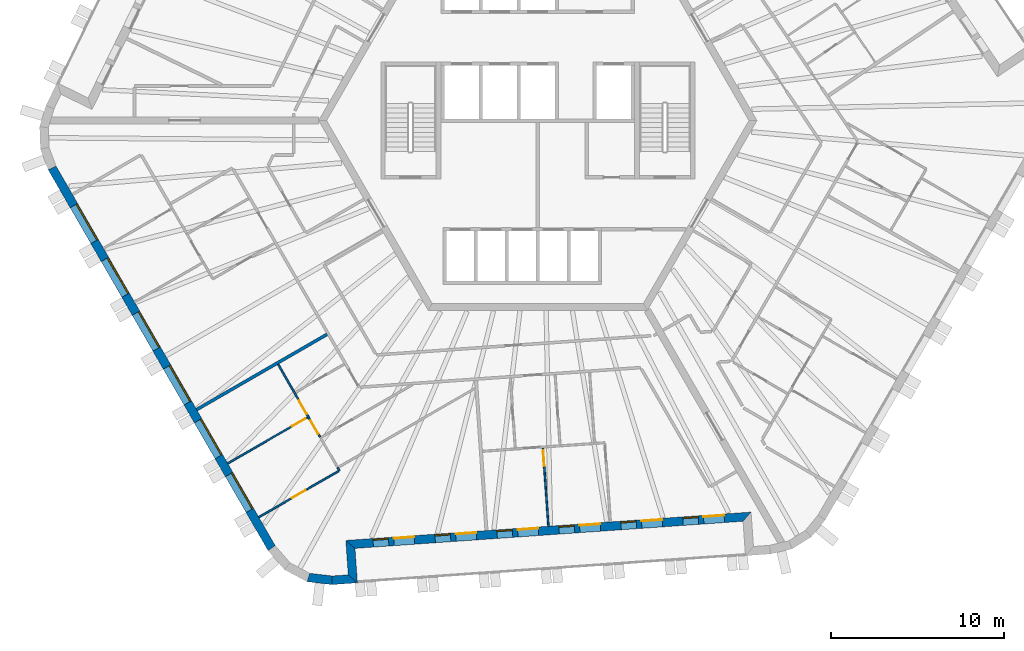
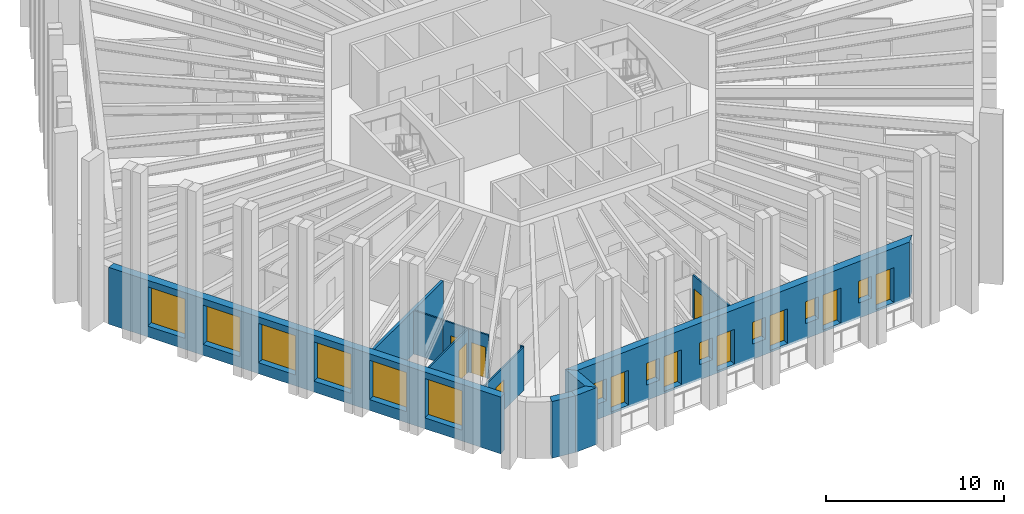
# One storey, part 3 of 13: 12 walls, 12 windows, 11 doors, 23 openings.
"""IFC4 building model written with IfcOpenShell, lengths in metres."""

from ifc_helpers import new_model, si_unit, direction, frame, frame_2d, origin, place, context, subcontext, project, spatial, polyline, rectangle, outline, extrude, material, layer, layer_set, type_object, element, fill, save


model = new_model("IFC4")

# Units and contexts
model_context = context("Model", 3, precision=1e-05, world=origin(), true_north=direction((0.0, 1.0)))
body_context = subcontext(model_context, "Body", "Model", "MODEL_VIEW")
ifc_project = project(units=[si_unit("LENGTHUNIT", "METRE"), si_unit("AREAUNIT", "SQUARE_METRE"), si_unit("VOLUMEUNIT", "CUBIC_METRE"), si_unit("PLANEANGLEUNIT", "RADIAN"), si_unit("MASSUNIT", "GRAM", prefix="KILO")], contexts=[model_context])

# Site, building, storey
site_placement = place(None, origin())
site = spatial("IfcSite", under=ifc_project, at=site_placement, CompositionType="ELEMENT")
building_placement = place(site_placement, origin())
building = spatial("IfcBuilding", under=site, at=building_placement, Name="Tarnside Tower", CompositionType="ELEMENT")
storey_placement = place(building_placement, frame((0.0, 0.0, 314.699951171875)))
storey = spatial("IfcBuildingStorey", under=building, at=storey_placement, Name="L76", CompositionType="ELEMENT", Elevation=314.699951171875)

# Walls
ifc_material_1 = material(Name="Gypsum board partition on steel studs", Category="steel")
ifc_layer_1 = layer(ifc_material_1, 0.10009765625)
ifc_layer_set_1 = layer_set([ifc_layer_1], Name="Bathroom wall 100")
wall_type_1 = type_object("IfcWallType", Name="Bathroom wall 100", PredefinedType="PARTITIONING", material=ifc_layer_set_1)
wall_1_placement = place(storey_placement, frame((-15.0498046875, -14.133056640625, 0.0), z_axis=(0.0, 0.0, 1.0), x_axis=(0.500059143742, -0.865991254436, 0.0)))
element("IfcWall", 1, at=wall_1_placement, inside=storey, type_object=wall_type_1, Name="Bathroom wall 25132", PredefinedType="PARTITIONING", context=body_context, shape_type="SweptSolid", body=[
    extrude(rectangle(XDim=1.862060546875, YDim=0.10009765625, at=frame_2d((0.93115234375, 0.0))), origin(), (0.0, 0.0, 1.0), 2.98779296875),
])
ifc_layer_2 = layer(ifc_material_1, 0.179931640625)
ifc_layer_set_2 = layer_set([ifc_layer_2], Name="Demising wall 180 EI 60")
wall_type_2 = type_object("IfcWallType", Name="Demising wall 180 EI 60", PredefinedType="PARTITIONING", material=ifc_layer_set_2)
wall_2_placement = place(storey_placement, frame((-19.771240234375, -16.755126953125, 0.0), z_axis=(0.0, 0.0, 1.0), x_axis=(0.866025292695, 0.500000192413, 0.0)))
element("IfcWall", 2, at=wall_2_placement, inside=storey, type_object=wall_type_2, Name="Demising wall 25116", PredefinedType="PARTITIONING", context=body_context, shape_type="SweptSolid", body=[
    extrude(rectangle(XDim=8.72509765625, YDim=0.179931640625, at=frame_2d((4.362548828125, 0.0))), origin(), (0.0, 0.0, 1.0), 2.98779296875),
])
ifc_material_2 = material(Name="Dark zinc cladding")
ifc_layer_3 = layer(ifc_material_2, 0.10205078125)
ifc_material_3 = material(Name="Concrete C60/75 precast", Category="concrete")
ifc_layer_4 = layer(ifc_material_3, 0.298095703125)
ifc_material_4 = material(Name="Mineral wool insulation")
ifc_layer_5 = layer(ifc_material_4, 0.10009765625)
ifc_layer_set_3 = layer_set([ifc_layer_3, ifc_layer_4, ifc_layer_5], Name="Loggia wall 500 zinc faced")
wall_type_3 = type_object("IfcWallType", Name="Loggia wall 500 zinc faced", PredefinedType="SOLIDWALL", material=ifc_layer_set_3)
wall_3_placement = place(storey_placement, frame((-11.91748046875, -26.646240234375, -0.14990234375), z_axis=(0.0, 0.0, 1.0), x_axis=(0.997562933087, 0.069772448216, 0.0)))
element("IfcWall", 3, at=wall_3_placement, inside=storey, type_object=wall_type_3, Name="Tube wall L76 F4 stub 16", PredefinedType="SOLIDWALL", context=body_context, shape_type="SweptSolid", body=[
    extrude(outline(polyline([(-0.0234375, -0.25), (1.4501953125, -0.25), (0.9501953125, 0.25), (0.0234375, 0.25), (-0.0234375, -0.25)])), origin(), (0.0, 0.0, 1.0), 3.89990234375),
])
wall_4_placement = place(storey_placement, frame((-10.72021484375, -26.5625, -0.14990234375), z_axis=(0.0, 0.0, 1.0), x_axis=(-0.069824268692, 0.99755930726, 0.0)))
element("IfcWall", 4, at=wall_4_placement, inside=storey, type_object=wall_type_3, Name="Tube wall L76 F4 return 17", PredefinedType="SOLIDWALL", context=body_context, shape_type="SweptSolid", body=[
    extrude(outline(polyline([(-0.25, -0.25), (1.75, -0.25), (2.25, 0.25), (0.25, 0.25), (-0.25, -0.25)])), origin(), (0.0, 0.0, 1.0), 3.89990234375),
])

# Wall, openings, doors, windows
wall_5_placement = place(storey_placement, frame((-10.85986328125, -24.5673828125, -0.14990234375), z_axis=(0.0, 0.0, 1.0), x_axis=(0.997564329317, 0.06975248292, 0.0)))
wall_5 = element("IfcWall", 5, at=wall_5_placement, inside=storey, type_object=wall_type_3, Name="Tube wall L76 F4 back 18", PredefinedType="SOLIDWALL", context=body_context, shape_type="SweptSolid", body=[
    extrude(outline(polyline([(0.25, -0.25), (22.794677734375, -0.25), (23.294677734375, 0.25), (-0.25, 0.25), (0.25, -0.25)])), origin(), (0.0, 0.0, 1.0), 3.89990234375),
])
opening_1_placement = place(wall_5_placement, frame((1.322509765625, 0.0, 1.050048828125)))
opening_1 = element("IfcOpeningElement", 6, at=opening_1_placement, cuts=wall_5, Name="Opening WL500", PredefinedType="OPENING", context=body_context, shape_type="SweptSolid", body=[
    extrude(rectangle(XDim=0.89990234375, YDim=1.5, at=frame_2d((0.449951171875, 0.75))), frame((0.0, 0.260009765625, 0.0), z_axis=(0.0, -1.0, 0.0), x_axis=(1.0, 0.0, 0.0)), (0.0, 0.0, 1.0), 0.52001953125),
])
opening_2_placement = place(wall_5_placement, frame((2.5224609375, 0.0, 0.14990234375)))
opening_2 = element("IfcOpeningElement", 7, at=opening_2_placement, cuts=wall_5, Name="Opening DB500", PredefinedType="OPENING", context=body_context, shape_type="SweptSolid", body=[
    extrude(rectangle(XDim=1.199951171875, YDim=2.39990234375, at=frame_2d((0.60009765625, 1.199951171875))), frame((0.0, 0.260009765625, 0.0), z_axis=(0.0, -1.0, 0.0), x_axis=(1.0, 0.0, 0.0)), (0.0, 0.0, 1.0), 0.52001953125),
])
opening_3_placement = place(wall_5_placement, frame((4.92236328125, 0.0, 1.050048828125)))
opening_3 = element("IfcOpeningElement", 8, at=opening_3_placement, cuts=wall_5, Name="Opening WL500", PredefinedType="OPENING", context=body_context, shape_type="SweptSolid", body=[
    extrude(rectangle(XDim=0.89990234375, YDim=1.5, at=frame_2d((0.449951171875, 0.75))), frame((0.0, 0.260009765625, 0.0), z_axis=(0.0, -1.0, 0.0), x_axis=(1.0, 0.0, 0.0)), (0.0, 0.0, 1.0), 0.52001953125),
])
opening_4_placement = place(wall_5_placement, frame((6.122314453125, 0.0, 0.14990234375)))
opening_4 = element("IfcOpeningElement", 9, at=opening_4_placement, cuts=wall_5, Name="Opening DB500", PredefinedType="OPENING", context=body_context, shape_type="SweptSolid", body=[
    extrude(rectangle(XDim=1.199951171875, YDim=2.39990234375, at=frame_2d((0.60009765625, 1.199951171875))), frame((0.0, 0.260009765625, 0.0), z_axis=(0.0, -1.0, 0.0), x_axis=(1.0, 0.0, 0.0)), (0.0, 0.0, 1.0), 0.52001953125),
])
opening_5_placement = place(wall_5_placement, frame((8.5224609375, 0.0, 1.050048828125)))
opening_5 = element("IfcOpeningElement", 10, at=opening_5_placement, cuts=wall_5, Name="Opening WL500", PredefinedType="OPENING", context=body_context, shape_type="SweptSolid", body=[
    extrude(rectangle(XDim=0.89990234375, YDim=1.5, at=frame_2d((0.449951171875, 0.75))), frame((0.0, 0.260009765625, 0.0), z_axis=(0.0, -1.0, 0.0), x_axis=(1.0, 0.0, 0.0)), (0.0, 0.0, 1.0), 0.52001953125),
])
opening_6_placement = place(wall_5_placement, frame((9.722412109375, 0.0, 0.14990234375)))
opening_6 = element("IfcOpeningElement", 11, at=opening_6_placement, cuts=wall_5, Name="Opening DB500", PredefinedType="OPENING", context=body_context, shape_type="SweptSolid", body=[
    extrude(rectangle(XDim=1.199951171875, YDim=2.39990234375, at=frame_2d((0.60009765625, 1.199951171875))), frame((0.0, 0.260009765625, 0.0), z_axis=(0.0, -1.0, 0.0), x_axis=(1.0, 0.0, 0.0)), (0.0, 0.0, 1.0), 0.52001953125),
])
opening_7_placement = place(wall_5_placement, frame((12.122314453125, 0.0, 1.050048828125)))
opening_7 = element("IfcOpeningElement", 12, at=opening_7_placement, cuts=wall_5, Name="Opening WL500", PredefinedType="OPENING", context=body_context, shape_type="SweptSolid", body=[
    extrude(rectangle(XDim=0.89990234375, YDim=1.5, at=frame_2d((0.449951171875, 0.75))), frame((0.0, 0.260009765625, 0.0), z_axis=(0.0, -1.0, 0.0), x_axis=(1.0, 0.0, 0.0)), (0.0, 0.0, 1.0), 0.52001953125),
])
opening_8_placement = place(wall_5_placement, frame((13.322509765625, 0.0, 0.14990234375)))
opening_8 = element("IfcOpeningElement", 13, at=opening_8_placement, cuts=wall_5, Name="Opening DB500", PredefinedType="OPENING", context=body_context, shape_type="SweptSolid", body=[
    extrude(rectangle(XDim=1.199951171875, YDim=2.39990234375, at=frame_2d((0.60009765625, 1.199951171875))), frame((0.0, 0.260009765625, 0.0), z_axis=(0.0, -1.0, 0.0), x_axis=(1.0, 0.0, 0.0)), (0.0, 0.0, 1.0), 0.52001953125),
])
opening_9_placement = place(wall_5_placement, frame((15.722412109375, 0.0, 1.050048828125)))
opening_9 = element("IfcOpeningElement", 14, at=opening_9_placement, cuts=wall_5, Name="Opening WL500", PredefinedType="OPENING", context=body_context, shape_type="SweptSolid", body=[
    extrude(rectangle(XDim=0.89990234375, YDim=1.5, at=frame_2d((0.449951171875, 0.75))), frame((0.0, 0.260009765625, 0.0), z_axis=(0.0, -1.0, 0.0), x_axis=(1.0, 0.0, 0.0)), (0.0, 0.0, 1.0), 0.52001953125),
])
opening_10_placement = place(wall_5_placement, frame((16.92236328125, 0.0, 0.14990234375)))
opening_10 = element("IfcOpeningElement", 15, at=opening_10_placement, cuts=wall_5, Name="Opening DB500", PredefinedType="OPENING", context=body_context, shape_type="SweptSolid", body=[
    extrude(rectangle(XDim=1.199951171875, YDim=2.39990234375, at=frame_2d((0.60009765625, 1.199951171875))), frame((0.0, 0.260009765625, 0.0), z_axis=(0.0, -1.0, 0.0), x_axis=(1.0, 0.0, 0.0)), (0.0, 0.0, 1.0), 0.52001953125),
])
opening_11_placement = place(wall_5_placement, frame((19.322509765625, 0.0, 1.050048828125)))
opening_11 = element("IfcOpeningElement", 16, at=opening_11_placement, cuts=wall_5, Name="Opening WL500", PredefinedType="OPENING", context=body_context, shape_type="SweptSolid", body=[
    extrude(rectangle(XDim=0.89990234375, YDim=1.5, at=frame_2d((0.449951171875, 0.75))), frame((0.0, 0.260009765625, 0.0), z_axis=(0.0, -1.0, 0.0), x_axis=(1.0, 0.0, 0.0)), (0.0, 0.0, 1.0), 0.52001953125),
])
opening_12_placement = place(wall_5_placement, frame((20.5224609375, 0.0, 0.14990234375)))
opening_12 = element("IfcOpeningElement", 17, at=opening_12_placement, cuts=wall_5, Name="Opening DB500", PredefinedType="OPENING", context=body_context, shape_type="SweptSolid", body=[
    extrude(rectangle(XDim=1.199951171875, YDim=2.39990234375, at=frame_2d((0.60009765625, 1.199951171875))), frame((0.0, 0.260009765625, 0.0), z_axis=(0.0, -1.0, 0.0), x_axis=(1.0, 0.0, 0.0)), (0.0, 0.0, 1.0), 0.52001953125),
])
ifc_material_5 = material(Name="Aluminium-framed double glazing", Category="aluminium")
door_type_1 = type_object("IfcDoorType", Name="Balcony sliding door 1200 x 2400 in 500 wall", OperationType="SLIDING_TO_LEFT", PredefinedType="DOOR", material=ifc_material_5)
door_1_placement = place(opening_2_placement, frame((0.0, 0.1748046875, 0.0)))
door_1 = element("IfcDoor", 18, at=door_1_placement, inside=storey, type_object=door_type_1, Name="E.BD.L76.F4.00", OperationType="SLIDING_TO_LEFT", OverallHeight=2.39990234375, OverallWidth=1.199951171875, PredefinedType="DOOR", context=body_context, shape_type="SweptSolid", body=[
    extrude(rectangle(XDim=1.199951171875, YDim=2.39990234375, at=frame_2d((0.60009765625, 1.199951171875))), frame((0.0, 0.02490234375, 0.0), z_axis=(0.0, -1.0, 0.0), x_axis=(1.0, 0.0, 0.0)), (0.0, 0.0, 1.0), 0.050048828125),
])
fill(opening_2, door_1)
door_2_placement = place(opening_4_placement, frame((0.0, 0.1748046875, 0.0)))
door_2 = element("IfcDoor", 19, at=door_2_placement, inside=storey, type_object=door_type_1, Name="E.BD.L76.F4.01", OperationType="SLIDING_TO_LEFT", OverallHeight=2.39990234375, OverallWidth=1.199951171875, PredefinedType="DOOR", context=body_context, shape_type="SweptSolid", body=[
    extrude(rectangle(XDim=1.199951171875, YDim=2.39990234375, at=frame_2d((0.60009765625, 1.199951171875))), frame((0.0, 0.02490234375, 0.0), z_axis=(0.0, -1.0, 0.0), x_axis=(1.0, 0.0, 0.0)), (0.0, 0.0, 1.0), 0.050048828125),
])
fill(opening_4, door_2)
door_3_placement = place(opening_6_placement, frame((0.0, 0.1748046875, 0.0)))
door_3 = element("IfcDoor", 20, at=door_3_placement, inside=storey, type_object=door_type_1, Name="E.BD.L76.F4.02", OperationType="SLIDING_TO_LEFT", OverallHeight=2.39990234375, OverallWidth=1.199951171875, PredefinedType="DOOR", context=body_context, shape_type="SweptSolid", body=[
    extrude(rectangle(XDim=1.199951171875, YDim=2.39990234375, at=frame_2d((0.60009765625, 1.199951171875))), frame((0.0, 0.02490234375, 0.0), z_axis=(0.0, -1.0, 0.0), x_axis=(1.0, 0.0, 0.0)), (0.0, 0.0, 1.0), 0.050048828125),
])
fill(opening_6, door_3)
door_4_placement = place(opening_8_placement, frame((0.0, 0.1748046875, 0.0)))
door_4 = element("IfcDoor", 21, at=door_4_placement, inside=storey, type_object=door_type_1, Name="E.BD.L76.F4.03", OperationType="SLIDING_TO_LEFT", OverallHeight=2.39990234375, OverallWidth=1.199951171875, PredefinedType="DOOR", context=body_context, shape_type="SweptSolid", body=[
    extrude(rectangle(XDim=1.199951171875, YDim=2.39990234375, at=frame_2d((0.60009765625, 1.199951171875))), frame((0.0, 0.02490234375, 0.0), z_axis=(0.0, -1.0, 0.0), x_axis=(1.0, 0.0, 0.0)), (0.0, 0.0, 1.0), 0.050048828125),
])
fill(opening_8, door_4)
door_5_placement = place(opening_10_placement, frame((0.0, 0.1748046875, 0.0)))
door_5 = element("IfcDoor", 22, at=door_5_placement, inside=storey, type_object=door_type_1, Name="E.BD.L76.F4.04", OperationType="SLIDING_TO_LEFT", OverallHeight=2.39990234375, OverallWidth=1.199951171875, PredefinedType="DOOR", context=body_context, shape_type="SweptSolid", body=[
    extrude(rectangle(XDim=1.199951171875, YDim=2.39990234375, at=frame_2d((0.60009765625, 1.199951171875))), frame((0.0, 0.02490234375, 0.0), z_axis=(0.0, -1.0, 0.0), x_axis=(1.0, 0.0, 0.0)), (0.0, 0.0, 1.0), 0.050048828125),
])
fill(opening_10, door_5)
door_6_placement = place(opening_12_placement, frame((0.0, 0.1748046875, 0.0)))
door_6 = element("IfcDoor", 23, at=door_6_placement, inside=storey, type_object=door_type_1, Name="E.BD.L76.F4.05", OperationType="SLIDING_TO_LEFT", OverallHeight=2.39990234375, OverallWidth=1.199951171875, PredefinedType="DOOR", context=body_context, shape_type="SweptSolid", body=[
    extrude(rectangle(XDim=1.199951171875, YDim=2.39990234375, at=frame_2d((0.60009765625, 1.199951171875))), frame((0.0, 0.02490234375, 0.0), z_axis=(0.0, -1.0, 0.0), x_axis=(1.0, 0.0, 0.0)), (0.0, 0.0, 1.0), 0.050048828125),
])
fill(opening_12, door_6)
window_type_1 = type_object("IfcWindowType", Name="Loggia window 900 x 1500 in 500 wall", PartitioningType="SINGLE_PANEL", PredefinedType="WINDOW", material=ifc_material_5)
window_1_placement = place(opening_1_placement, frame((0.0, 0.179931640625, 0.0)))
window_1 = element("IfcWindow", 24, at=window_1_placement, inside=storey, type_object=window_type_1, Name="E.LW.L76.F4.00", OverallHeight=1.5, OverallWidth=0.89990234375, PartitioningType="SINGLE_PANEL", PredefinedType="WINDOW", context=body_context, shape_type="SweptSolid", body=[
    extrude(rectangle(XDim=0.89990234375, YDim=1.5, at=frame_2d((0.449951171875, 0.75))), frame((0.0, 0.030029296875, 0.0), z_axis=(0.0, -1.0, 0.0), x_axis=(1.0, 0.0, 0.0)), (0.0, 0.0, 1.0), 0.06005859375),
])
fill(opening_1, window_1)
window_2_placement = place(opening_3_placement, frame((0.0, 0.179931640625, 0.0)))
window_2 = element("IfcWindow", 25, at=window_2_placement, inside=storey, type_object=window_type_1, Name="E.LW.L76.F4.01", OverallHeight=1.5, OverallWidth=0.89990234375, PartitioningType="SINGLE_PANEL", PredefinedType="WINDOW", context=body_context, shape_type="SweptSolid", body=[
    extrude(rectangle(XDim=0.89990234375, YDim=1.5, at=frame_2d((0.449951171875, 0.75))), frame((0.0, 0.030029296875, 0.0), z_axis=(0.0, -1.0, 0.0), x_axis=(1.0, 0.0, 0.0)), (0.0, 0.0, 1.0), 0.06005859375),
])
fill(opening_3, window_2)
window_3_placement = place(opening_5_placement, frame((0.0, 0.179931640625, 0.0)))
window_3 = element("IfcWindow", 26, at=window_3_placement, inside=storey, type_object=window_type_1, Name="E.LW.L76.F4.02", OverallHeight=1.5, OverallWidth=0.89990234375, PartitioningType="SINGLE_PANEL", PredefinedType="WINDOW", context=body_context, shape_type="SweptSolid", body=[
    extrude(rectangle(XDim=0.89990234375, YDim=1.5, at=frame_2d((0.449951171875, 0.75))), frame((0.0, 0.030029296875, 0.0), z_axis=(0.0, -1.0, 0.0), x_axis=(1.0, 0.0, 0.0)), (0.0, 0.0, 1.0), 0.06005859375),
])
fill(opening_5, window_3)
window_4_placement = place(opening_7_placement, frame((0.0, 0.179931640625, 0.0)))
window_4 = element("IfcWindow", 27, at=window_4_placement, inside=storey, type_object=window_type_1, Name="E.LW.L76.F4.03", OverallHeight=1.5, OverallWidth=0.89990234375, PartitioningType="SINGLE_PANEL", PredefinedType="WINDOW", context=body_context, shape_type="SweptSolid", body=[
    extrude(rectangle(XDim=0.89990234375, YDim=1.5, at=frame_2d((0.449951171875, 0.75))), frame((0.0, 0.030029296875, 0.0), z_axis=(0.0, -1.0, 0.0), x_axis=(1.0, 0.0, 0.0)), (0.0, 0.0, 1.0), 0.06005859375),
])
fill(opening_7, window_4)
window_5_placement = place(opening_9_placement, frame((0.0, 0.179931640625, 0.0)))
window_5 = element("IfcWindow", 28, at=window_5_placement, inside=storey, type_object=window_type_1, Name="E.LW.L76.F4.04", OverallHeight=1.5, OverallWidth=0.89990234375, PartitioningType="SINGLE_PANEL", PredefinedType="WINDOW", context=body_context, shape_type="SweptSolid", body=[
    extrude(rectangle(XDim=0.89990234375, YDim=1.5, at=frame_2d((0.449951171875, 0.75))), frame((0.0, 0.030029296875, 0.0), z_axis=(0.0, -1.0, 0.0), x_axis=(1.0, 0.0, 0.0)), (0.0, 0.0, 1.0), 0.06005859375),
])
fill(opening_9, window_5)
window_6_placement = place(opening_11_placement, frame((0.0, 0.179931640625, 0.0)))
window_6 = element("IfcWindow", 29, at=window_6_placement, inside=storey, type_object=window_type_1, Name="E.LW.L76.F4.05", OverallHeight=1.5, OverallWidth=0.89990234375, PartitioningType="SINGLE_PANEL", PredefinedType="WINDOW", context=body_context, shape_type="SweptSolid", body=[
    extrude(rectangle(XDim=0.89990234375, YDim=1.5, at=frame_2d((0.449951171875, 0.75))), frame((0.0, 0.030029296875, 0.0), z_axis=(0.0, -1.0, 0.0), x_axis=(1.0, 0.0, 0.0)), (0.0, 0.0, 1.0), 0.06005859375),
])
fill(opening_11, window_6)

# Wall
ifc_layer_6 = layer(ifc_material_1, 0.10009765625)
ifc_layer_set_4 = layer_set([ifc_layer_6], Name="Partition 100")
wall_type_4 = type_object("IfcWallType", Name="Partition 100", PredefinedType="PARTITIONING", material=ifc_layer_set_4)
wall_6_placement = place(storey_placement, frame((-11.595703125, -20.11572265625, 0.0), z_axis=(0.0, 0.0, 1.0), x_axis=(0.500559585819, -0.865702085619, 0.0)))
element("IfcWall", 30, at=wall_6_placement, inside=storey, type_object=wall_type_4, Name="Partition wall 25123", PredefinedType="PARTITIONING", context=body_context, shape_type="SweptSolid", body=[
    extrude(rectangle(XDim=0.201904296875, YDim=0.10009765625, at=frame_2d((0.10107421875, 0.0))), origin(), (0.0, 0.0, 1.0), 2.98779296875),
])

# Wall, opening, door
wall_7_placement = place(storey_placement, frame((-11.5380859375, -20.315673828125, 0.0), z_axis=(0.0, 0.0, 1.0), x_axis=(-0.866032834954, -0.499987128616, 0.0)))
wall_7 = element("IfcWall", 31, at=wall_7_placement, inside=storey, type_object=wall_type_4, Name="Partition wall 25124", PredefinedType="PARTITIONING", context=body_context, shape_type="SweptSolid", body=[
    extrude(rectangle(XDim=5.349853515625, YDim=0.10009765625, at=frame_2d((2.6748046875, 0.0))), origin(), (0.0, 0.0, 1.0), 2.98779296875),
])
opening_13_placement = place(wall_7_placement, frame((2.22509765625, 0.0, 0.0)))
opening_13 = element("IfcOpeningElement", 32, at=opening_13_placement, cuts=wall_7, Name="Opening D-I1", PredefinedType="OPENING", context=body_context, shape_type="SweptSolid", body=[
    extrude(rectangle(XDim=0.89990234375, YDim=2.10009765625, at=frame_2d((0.449951171875, 1.050048828125))), frame((0.0, 0.06005859375, 0.0), z_axis=(0.0, -1.0, 0.0), x_axis=(1.0, 0.0, 0.0)), (0.0, 0.0, 1.0), 0.1201171875),
])
ifc_material_6 = material(Name="Timber door leaf", Category="wood")
door_type_2 = type_object("IfcDoorType", Name="Internal door 900", OperationType="NOTDEFINED", PredefinedType="DOOR", material=ifc_material_6)
door_7_placement = place(opening_13_placement, origin())
door_7 = element("IfcDoor", 33, at=door_7_placement, inside=storey, type_object=door_type_2, Name="Internal door 25069", OperationType="SINGLE_SWING_RIGHT", OverallHeight=2.10009765625, OverallWidth=0.89990234375, PredefinedType="DOOR", context=body_context, shape_type="SweptSolid", body=[
    extrude(rectangle(XDim=0.89990234375, YDim=2.10009765625, at=frame_2d((0.449951171875, 1.050048828125))), frame((0.0, 0.02490234375, 0.0), z_axis=(0.0, -1.0, 0.0), x_axis=(1.0, 0.0, 0.0)), (0.0, 0.0, 1.0), 0.050048828125),
])
fill(opening_13, door_7)

# Wall, openings, doors
wall_8_placement = place(storey_placement, frame((-14.095703125, -15.785400390625, 0.0), z_axis=(0.0, 0.0, 1.0), x_axis=(0.49999668571, -0.866027317282, 0.0)))
wall_8 = element("IfcWall", 34, at=wall_8_placement, inside=storey, type_object=wall_type_4, Name="Partition wall 25129", PredefinedType="PARTITIONING", context=body_context, shape_type="SweptSolid", body=[
    extrude(rectangle(XDim=2.9541015625, YDim=0.10009765625, at=frame_2d((1.47705078125, 0.0))), origin(), (0.0, 0.0, 1.0), 2.98779296875),
])
opening_14_placement = place(wall_8_placement, frame((0.501953125, 0.0, 0.0)))
opening_14 = element("IfcOpeningElement", 35, at=opening_14_placement, cuts=wall_8, Name="Opening D-I1", PredefinedType="OPENING", context=body_context, shape_type="SweptSolid", body=[
    extrude(rectangle(XDim=0.89990234375, YDim=2.10009765625, at=frame_2d((0.449951171875, 1.050048828125))), frame((0.0, 0.06005859375, 0.0), z_axis=(0.0, -1.0, 0.0), x_axis=(1.0, 0.0, 0.0)), (0.0, 0.0, 1.0), 0.1201171875),
])
opening_15_placement = place(wall_8_placement, frame((1.85205078125, 0.0, 0.0)))
opening_15 = element("IfcOpeningElement", 36, at=opening_15_placement, cuts=wall_8, Name="Opening D-I1", PredefinedType="OPENING", context=body_context, shape_type="SweptSolid", body=[
    extrude(rectangle(XDim=0.89990234375, YDim=2.10009765625, at=frame_2d((0.449951171875, 1.050048828125))), frame((0.0, 0.06005859375, 0.0), z_axis=(0.0, -1.0, 0.0), x_axis=(1.0, 0.0, 0.0)), (0.0, 0.0, 1.0), 0.1201171875),
])
door_8_placement = place(opening_14_placement, origin())
door_8 = element("IfcDoor", 37, at=door_8_placement, inside=storey, type_object=door_type_2, Name="Internal door 25032", OperationType="SINGLE_SWING_LEFT", OverallHeight=2.10009765625, OverallWidth=0.89990234375, PredefinedType="DOOR", context=body_context, shape_type="SweptSolid", body=[
    extrude(rectangle(XDim=0.89990234375, YDim=2.10009765625, at=frame_2d((0.449951171875, 1.050048828125))), frame((0.0, 0.02490234375, 0.0), z_axis=(0.0, -1.0, 0.0), x_axis=(1.0, 0.0, 0.0)), (0.0, 0.0, 1.0), 0.050048828125),
])
fill(opening_14, door_8)
door_9_placement = place(opening_15_placement, origin())
door_9 = element("IfcDoor", 38, at=door_9_placement, inside=storey, type_object=door_type_2, Name="Internal door 25036", OperationType="SINGLE_SWING_RIGHT", OverallHeight=2.10009765625, OverallWidth=0.89990234375, PredefinedType="DOOR", context=body_context, shape_type="SweptSolid", body=[
    extrude(rectangle(XDim=0.89990234375, YDim=2.10009765625, at=frame_2d((0.449951171875, 1.050048828125))), frame((0.0, 0.02490234375, 0.0), z_axis=(0.0, -1.0, 0.0), x_axis=(1.0, 0.0, 0.0)), (0.0, 0.0, 1.0), 0.050048828125),
])
fill(opening_15, door_9)

# Wall, opening, door
wall_9_placement = place(storey_placement, frame((-17.97119140625, -19.872802734375, 0.0), z_axis=(0.0, 0.0, 1.0), x_axis=(0.866032834954, 0.499987128616, 0.0)))
wall_9 = element("IfcWall", 39, at=wall_9_placement, inside=storey, type_object=wall_type_4, Name="Partition wall 25133", PredefinedType="PARTITIONING", context=body_context, shape_type="SweptSolid", body=[
    extrude(rectangle(XDim=5.349853515625, YDim=0.10009765625, at=frame_2d((2.6748046875, 0.0))), origin(), (0.0, 0.0, 1.0), 2.98779296875),
])
opening_16_placement = place(wall_9_placement, frame((4.300048828125, 0.0, 0.0)))
opening_16 = element("IfcOpeningElement", 40, at=opening_16_placement, cuts=wall_9, Name="Opening D-I1", PredefinedType="OPENING", context=body_context, shape_type="SweptSolid", body=[
    extrude(rectangle(XDim=0.89990234375, YDim=2.10009765625, at=frame_2d((0.449951171875, 1.050048828125))), frame((0.0, 0.06005859375, 0.0), z_axis=(0.0, -1.0, 0.0), x_axis=(1.0, 0.0, 0.0)), (0.0, 0.0, 1.0), 0.1201171875),
])
door_10_placement = place(opening_16_placement, origin())
door_10 = element("IfcDoor", 41, at=door_10_placement, inside=storey, type_object=door_type_2, Name="Internal door 25035", OperationType="SINGLE_SWING_RIGHT", OverallHeight=2.10009765625, OverallWidth=0.89990234375, PredefinedType="DOOR", context=body_context, shape_type="SweptSolid", body=[
    extrude(rectangle(XDim=0.89990234375, YDim=2.10009765625, at=frame_2d((0.449951171875, 1.050048828125))), frame((0.0, 0.02490234375, 0.0), z_axis=(0.0, -1.0, 0.0), x_axis=(1.0, 0.0, 0.0)), (0.0, 0.0, 1.0), 0.050048828125),
])
fill(opening_16, door_10)

wall_10_placement = place(storey_placement, frame((0.616943359375, -23.51416015625, 0.0), z_axis=(0.0, 0.0, 1.0), x_axis=(-0.0697559739, 0.997564085212, 0.0)))
wall_10 = element("IfcWall", 42, at=wall_10_placement, inside=storey, type_object=wall_type_4, Name="Partition wall 25144", PredefinedType="PARTITIONING", context=body_context, shape_type="SweptSolid", body=[
    extrude(rectangle(XDim=4.5498046875, YDim=0.10009765625, at=frame_2d((2.27490234375, 0.0))), origin(), (0.0, 0.0, 1.0), 2.98779296875),
])
opening_17_placement = place(wall_10_placement, frame((3.5, 0.0, 0.0)))
opening_17 = element("IfcOpeningElement", 43, at=opening_17_placement, cuts=wall_10, Name="Opening D-I1", PredefinedType="OPENING", context=body_context, shape_type="SweptSolid", body=[
    extrude(rectangle(XDim=0.89990234375, YDim=2.10009765625, at=frame_2d((0.449951171875, 1.050048828125))), frame((0.0, 0.06005859375, 0.0), z_axis=(0.0, -1.0, 0.0), x_axis=(1.0, 0.0, 0.0)), (0.0, 0.0, 1.0), 0.1201171875),
])
door_11_placement = place(opening_17_placement, origin())
door_11 = element("IfcDoor", 44, at=door_11_placement, inside=storey, type_object=door_type_2, Name="Internal door 25044", OperationType="SINGLE_SWING_RIGHT", OverallHeight=2.10009765625, OverallWidth=0.89990234375, PredefinedType="DOOR", context=body_context, shape_type="SweptSolid", body=[
    extrude(rectangle(XDim=0.89990234375, YDim=2.10009765625, at=frame_2d((0.449951171875, 1.050048828125))), frame((0.0, 0.02490234375, 0.0), z_axis=(0.0, -1.0, 0.0), x_axis=(1.0, 0.0, 0.0)), (0.0, 0.0, 1.0), 0.050048828125),
])
fill(opening_17, door_11)

# Wall, openings, windows
ifc_material_7 = material(Name="Facing brick", Category="masonry")
ifc_layer_7 = layer(ifc_material_7, 0.10205078125)
ifc_layer_8 = layer(ifc_material_3, 0.298095703125)
ifc_layer_9 = layer(ifc_material_4, 0.10009765625)
ifc_layer_set_5 = layer_set([ifc_layer_7, ifc_layer_8, ifc_layer_9], Name="Tube wall 500 brick faced")
wall_type_5 = type_object("IfcWallType", Name="Tube wall 500 brick faced", PredefinedType="SOLIDWALL", material=ifc_layer_set_5)
wall_11_placement = place(storey_placement, frame((-28.14892578125, -2.74462890625, -0.14990234375), z_axis=(0.0, 0.0, 1.0), x_axis=(0.500003737743, -0.866023245787, 0.0)))
wall_11 = element("IfcWall", 45, at=wall_11_placement, inside=storey, type_object=wall_type_5, Name="Tube wall L76 F3 flush 12", PredefinedType="SOLIDWALL", context=body_context, shape_type="SweptSolid", body=[
    extrude(outline(polyline([(-0.0205078125, -0.25), (25.468017578125, -0.25), (25.421142578125, 0.25), (0.0205078125, 0.25), (-0.0205078125, -0.25)])), origin(), (0.0, 0.0, 1.0), 3.89990234375),
])
opening_18_placement = place(wall_11_placement, frame((2.5224609375, 0.0, 0.75)))
opening_18 = element("IfcOpeningElement", 46, at=opening_18_placement, cuts=wall_11, Name="Opening WR", PredefinedType="OPENING", context=body_context, shape_type="SweptSolid", body=[
    extrude(rectangle(XDim=2.39990234375, YDim=2.699951171875, at=frame_2d((1.199951171875, 1.35009765625))), frame((0.0, 0.260009765625, 0.0), z_axis=(0.0, -1.0, 0.0), x_axis=(1.0, 0.0, 0.0)), (0.0, 0.0, 1.0), 0.52001953125),
])
opening_19_placement = place(wall_11_placement, frame((6.122314453125, 0.0, 0.75)))
opening_19 = element("IfcOpeningElement", 47, at=opening_19_placement, cuts=wall_11, Name="Opening WR", PredefinedType="OPENING", context=body_context, shape_type="SweptSolid", body=[
    extrude(rectangle(XDim=2.39990234375, YDim=2.699951171875, at=frame_2d((1.199951171875, 1.35009765625))), frame((0.0, 0.260009765625, 0.0), z_axis=(0.0, -1.0, 0.0), x_axis=(1.0, 0.0, 0.0)), (0.0, 0.0, 1.0), 0.52001953125),
])
opening_20_placement = place(wall_11_placement, frame((9.722412109375, 0.0, 0.75)))
opening_20 = element("IfcOpeningElement", 48, at=opening_20_placement, cuts=wall_11, Name="Opening WR", PredefinedType="OPENING", context=body_context, shape_type="SweptSolid", body=[
    extrude(rectangle(XDim=2.39990234375, YDim=2.699951171875, at=frame_2d((1.199951171875, 1.35009765625))), frame((0.0, 0.260009765625, 0.0), z_axis=(0.0, -1.0, 0.0), x_axis=(1.0, 0.0, 0.0)), (0.0, 0.0, 1.0), 0.52001953125),
])
opening_21_placement = place(wall_11_placement, frame((13.322509765625, 0.0, 0.75)))
opening_21 = element("IfcOpeningElement", 49, at=opening_21_placement, cuts=wall_11, Name="Opening WR", PredefinedType="OPENING", context=body_context, shape_type="SweptSolid", body=[
    extrude(rectangle(XDim=2.39990234375, YDim=2.699951171875, at=frame_2d((1.199951171875, 1.35009765625))), frame((0.0, 0.260009765625, 0.0), z_axis=(0.0, -1.0, 0.0), x_axis=(1.0, 0.0, 0.0)), (0.0, 0.0, 1.0), 0.52001953125),
])
opening_22_placement = place(wall_11_placement, frame((16.92236328125, 0.0, 0.75)))
opening_22 = element("IfcOpeningElement", 50, at=opening_22_placement, cuts=wall_11, Name="Opening WR", PredefinedType="OPENING", context=body_context, shape_type="SweptSolid", body=[
    extrude(rectangle(XDim=2.39990234375, YDim=2.699951171875, at=frame_2d((1.199951171875, 1.35009765625))), frame((0.0, 0.260009765625, 0.0), z_axis=(0.0, -1.0, 0.0), x_axis=(1.0, 0.0, 0.0)), (0.0, 0.0, 1.0), 0.52001953125),
])
opening_23_placement = place(wall_11_placement, frame((20.5224609375, 0.0, 0.75)))
opening_23 = element("IfcOpeningElement", 51, at=opening_23_placement, cuts=wall_11, Name="Opening WR", PredefinedType="OPENING", context=body_context, shape_type="SweptSolid", body=[
    extrude(rectangle(XDim=2.39990234375, YDim=2.699951171875, at=frame_2d((1.199951171875, 1.35009765625))), frame((0.0, 0.260009765625, 0.0), z_axis=(0.0, -1.0, 0.0), x_axis=(1.0, 0.0, 0.0)), (0.0, 0.0, 1.0), 0.52001953125),
])
window_type_2 = type_object("IfcWindowType", Name="Residence window 2400 x 2700", PartitioningType="DOUBLE_PANEL_VERTICAL", PredefinedType="WINDOW", material=ifc_material_5)
window_7_placement = place(opening_18_placement, frame((0.0, 0.179931640625, 0.0)))
window_7 = element("IfcWindow", 52, at=window_7_placement, inside=storey, type_object=window_type_2, Name="E.WN.L76.F3.00", OverallHeight=2.699951171875, OverallWidth=2.39990234375, PartitioningType="DOUBLE_PANEL_VERTICAL", PredefinedType="WINDOW", context=body_context, shape_type="SweptSolid", body=[
    extrude(rectangle(XDim=2.39990234375, YDim=2.699951171875, at=frame_2d((1.199951171875, 1.35009765625))), frame((0.0, 0.030029296875, 0.0), z_axis=(0.0, -1.0, 0.0), x_axis=(1.0, 0.0, 0.0)), (0.0, 0.0, 1.0), 0.06005859375),
])
fill(opening_18, window_7)
window_8_placement = place(opening_19_placement, frame((0.0, 0.179931640625, 0.0)))
window_8 = element("IfcWindow", 53, at=window_8_placement, inside=storey, type_object=window_type_2, Name="E.WN.L76.F3.01", OverallHeight=2.699951171875, OverallWidth=2.39990234375, PartitioningType="DOUBLE_PANEL_VERTICAL", PredefinedType="WINDOW", context=body_context, shape_type="SweptSolid", body=[
    extrude(rectangle(XDim=2.39990234375, YDim=2.699951171875, at=frame_2d((1.199951171875, 1.35009765625))), frame((0.0, 0.030029296875, 0.0), z_axis=(0.0, -1.0, 0.0), x_axis=(1.0, 0.0, 0.0)), (0.0, 0.0, 1.0), 0.06005859375),
])
fill(opening_19, window_8)
window_9_placement = place(opening_20_placement, frame((0.0, 0.179931640625, 0.0)))
window_9 = element("IfcWindow", 54, at=window_9_placement, inside=storey, type_object=window_type_2, Name="E.WN.L76.F3.02", OverallHeight=2.699951171875, OverallWidth=2.39990234375, PartitioningType="DOUBLE_PANEL_VERTICAL", PredefinedType="WINDOW", context=body_context, shape_type="SweptSolid", body=[
    extrude(rectangle(XDim=2.39990234375, YDim=2.699951171875, at=frame_2d((1.199951171875, 1.35009765625))), frame((0.0, 0.030029296875, 0.0), z_axis=(0.0, -1.0, 0.0), x_axis=(1.0, 0.0, 0.0)), (0.0, 0.0, 1.0), 0.06005859375),
])
fill(opening_20, window_9)
window_10_placement = place(opening_21_placement, frame((0.0, 0.179931640625, 0.0)))
window_10 = element("IfcWindow", 55, at=window_10_placement, inside=storey, type_object=window_type_2, Name="E.WN.L76.F3.03", OverallHeight=2.699951171875, OverallWidth=2.39990234375, PartitioningType="DOUBLE_PANEL_VERTICAL", PredefinedType="WINDOW", context=body_context, shape_type="SweptSolid", body=[
    extrude(rectangle(XDim=2.39990234375, YDim=2.699951171875, at=frame_2d((1.199951171875, 1.35009765625))), frame((0.0, 0.030029296875, 0.0), z_axis=(0.0, -1.0, 0.0), x_axis=(1.0, 0.0, 0.0)), (0.0, 0.0, 1.0), 0.06005859375),
])
fill(opening_21, window_10)
window_11_placement = place(opening_22_placement, frame((0.0, 0.179931640625, 0.0)))
window_11 = element("IfcWindow", 56, at=window_11_placement, inside=storey, type_object=window_type_2, Name="E.WN.L76.F3.04", OverallHeight=2.699951171875, OverallWidth=2.39990234375, PartitioningType="DOUBLE_PANEL_VERTICAL", PredefinedType="WINDOW", context=body_context, shape_type="SweptSolid", body=[
    extrude(rectangle(XDim=2.39990234375, YDim=2.699951171875, at=frame_2d((1.199951171875, 1.35009765625))), frame((0.0, 0.030029296875, 0.0), z_axis=(0.0, -1.0, 0.0), x_axis=(1.0, 0.0, 0.0)), (0.0, 0.0, 1.0), 0.06005859375),
])
fill(opening_22, window_11)
window_12_placement = place(opening_23_placement, frame((0.0, 0.179931640625, 0.0)))
window_12 = element("IfcWindow", 57, at=window_12_placement, inside=storey, type_object=window_type_2, Name="E.WN.L76.F3.05", OverallHeight=2.699951171875, OverallWidth=2.39990234375, PartitioningType="DOUBLE_PANEL_VERTICAL", PredefinedType="WINDOW", context=body_context, shape_type="SweptSolid", body=[
    extrude(rectangle(XDim=2.39990234375, YDim=2.699951171875, at=frame_2d((1.199951171875, 1.35009765625))), frame((0.0, 0.030029296875, 0.0), z_axis=(0.0, -1.0, 0.0), x_axis=(1.0, 0.0, 0.0)), (0.0, 0.0, 1.0), 0.06005859375),
])
fill(opening_23, window_12)

# Wall
wall_12_placement = place(storey_placement, frame((-13.296142578125, -26.485107421875, -0.14990234375), z_axis=(0.0, 0.0, 1.0), x_axis=(0.993239161627, -0.116086036245, 0.0)))
element("IfcWall", 58, at=wall_12_placement, inside=storey, type_object=wall_type_5, Name="Tube wall L76 F3 chord 15", PredefinedType="SOLIDWALL", context=body_context, shape_type="SweptSolid", body=[
    extrude(outline(polyline([(-0.047119140625, -0.25), (1.411376953125, -0.25), (1.364501953125, 0.25), (0.047119140625, 0.25), (-0.047119140625, -0.25)])), origin(), (0.0, 0.0, 1.0), 3.89990234375),
])

save(model, "model.ifc")
